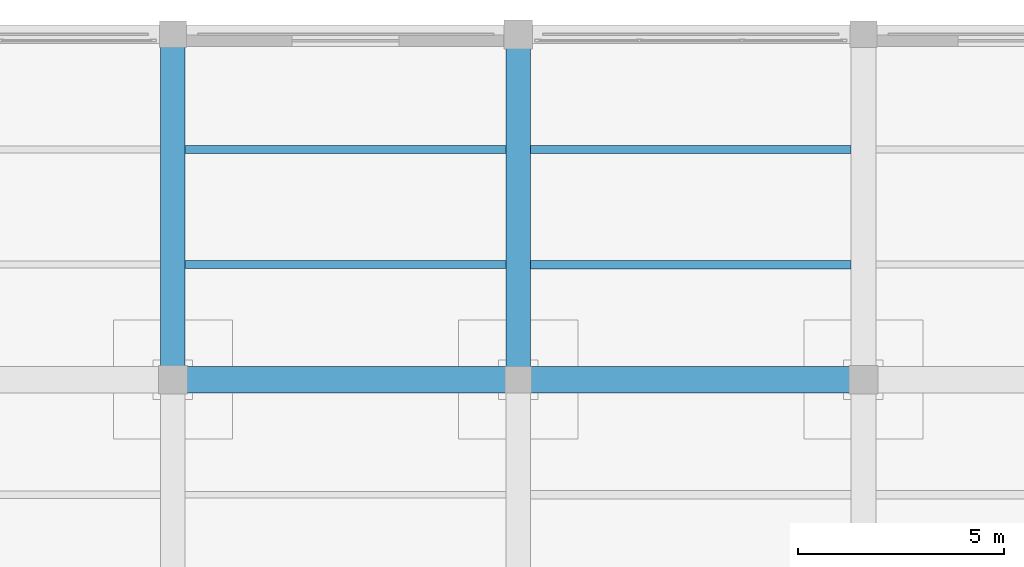
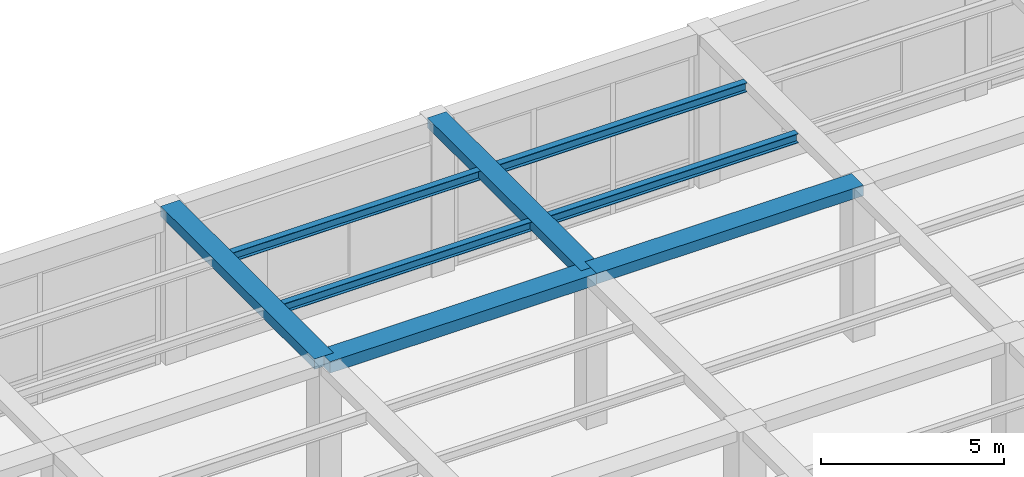
# One storey, part 49 of 96: 8 beams.
"""IFC4 building model written with IfcOpenShell, lengths in metres."""

import ifcopenshell
import ifcopenshell.guid

model = None  # the IFC model being written
_history = None  # IfcOwnerHistory: only IFC2X3 demands one
_inside = {}  # id of a spatial element -> (the spatial element, [elements in it])
_under = {}  # id of a project, library or spatial element -> (it, [spatial elements below it])
_declared = {}  # id of a project -> (the project, [libraries it declares])
_typed = {}  # id of a type object -> (the type object, [elements of that type])
_made_of = {}  # id of a material, layer set ... -> (it, [elements and type objects made of it])


def new_model(schema):
    """Start an empty IFC model of exactly this schema.

    Asked for "IFC4X3", IfcOpenShell would pick the latest addendum, in which some entities
    have other attributes; the version numbers below select the first issue.
    IFC2X3 requires an IfcOwnerHistory on every rooted entity: one is made here for all.
    """
    global model, _history
    if schema == "IFC4X3":
        model = ifcopenshell.file(schema_version=(4, 3, 0, 0))
    else:
        model = ifcopenshell.file(schema=schema)
    _inside.clear()
    _under.clear()
    _declared.clear()
    _typed.clear()
    _made_of.clear()
    _history = None
    if model.schema == "IFC2X3":
        org = make("IfcOrganization", Name="unknown")
        user = make(
            "IfcPersonAndOrganization",
            ThePerson=make("IfcPerson", FamilyName="unknown"),
            TheOrganization=org,
        )
        app = make(
            "IfcApplication",
            ApplicationDeveloper=org,
            Version="unknown",
            ApplicationFullName="unknown",
            ApplicationIdentifier="unknown",
        )
        _history = make(
            "IfcOwnerHistory",
            OwningUser=user,
            OwningApplication=app,
            ChangeAction="ADDED",
            CreationDate=0,
        )
    return model


def make(cls, **values):
    """One entity of the class cls with the attributes given. An attribute that is None is left unset."""
    return model.create_entity(
        cls, **{name: value for name, value in values.items() if value is not None}
    )


def rooted(cls, **values):
    """An entity with a GlobalId (a new one), such as an element, a storey or a relation."""
    return make(cls, GlobalId=ifcopenshell.guid.new(), OwnerHistory=_history, **values)


def si_unit(unit_type, name, prefix=None):
    """IfcSIUnit, for example si_unit("LENGTHUNIT", "METRE", prefix="MILLI")."""
    return make("IfcSIUnit", UnitType=unit_type, Prefix=prefix, Name=name)


def assignment(units):
    """IfcUnitAssignment: the units of a project."""
    return None if units is None else make("IfcUnitAssignment", Units=units)


def point(xyz):
    """IfcCartesianPoint."""
    return None if xyz is None else make("IfcCartesianPoint", Coordinates=xyz)


def direction(xyz):
    """IfcDirection."""
    return None if xyz is None else make("IfcDirection", DirectionRatios=xyz)


def frame(location, z_axis=None, x_axis=None):
    """IfcAxis2Placement3D, a coordinate frame: its origin and axes. An axis left out is left unset."""
    return make(
        "IfcAxis2Placement3D",
        Location=point(location),
        Axis=direction(z_axis),
        RefDirection=direction(x_axis),
    )


def frame_2d(location, x_axis=None):
    """IfcAxis2Placement2D, a coordinate frame in the plane: its origin and x axis."""
    return make(
        "IfcAxis2Placement2D", Location=point(location), RefDirection=direction(x_axis)
    )


def origin():
    """The frame at (0, 0, 0) with its axes left unset."""
    return frame((0.0, 0.0, 0.0))


def origin_2d():
    """The frame at (0, 0) in the plane with its x axis left unset."""
    return frame_2d((0.0, 0.0))


def place(relative_to, where):
    """IfcLocalPlacement: puts the frame where relative to a parent placement (None: the world)."""
    return make(
        "IfcLocalPlacement", PlacementRelTo=relative_to, RelativePlacement=where
    )


def context(
    kind, dimensions, precision=None, world=None, true_north=None, identifier=None
):
    """IfcGeometricRepresentationContext, for example the 3D "Model" context."""
    return make(
        "IfcGeometricRepresentationContext",
        ContextIdentifier=identifier,
        ContextType=kind,
        CoordinateSpaceDimension=dimensions,
        Precision=precision,
        WorldCoordinateSystem=world,
        TrueNorth=true_north,
    )


def subcontext(parent, identifier, kind, view, scale=None):
    """IfcGeometricRepresentationSubContext, for example "Body" below "Model"."""
    return make(
        "IfcGeometricRepresentationSubContext",
        ContextIdentifier=identifier,
        ContextType=kind,
        ParentContext=parent,
        TargetScale=scale,
        TargetView=view,
    )


def project(units=None, contexts=None):
    """IfcProject with its units and contexts."""
    return rooted(
        "IfcProject",
        Name="project",
        RepresentationContexts=contexts,
        UnitsInContext=assignment(units),
    )


def spatial(cls, under=None, at=None, **own):
    """A site, building, storey or space (cls), placed at a placement, below another one or the project."""
    s = rooted(cls, ObjectPlacement=at, **own)
    if under is not None:
        _under.setdefault(under.id(), (under, []))[1].append(s)
    return s


def profile(cls, at=None, kind="AREA", **sizes):
    """A parametric profile (cls). Its sizes go by their IFC names, for example OverallWidth=200.0."""
    return make(cls, ProfileType=kind, Position=at, **sizes)


def rectangle(**sizes):
    """IfcRectangleProfileDef."""
    return profile("IfcRectangleProfileDef", **sizes)


def i_section(**sizes):
    """IfcIShapeProfileDef."""
    return profile("IfcIShapeProfileDef", **sizes)


def extrude(swept, where, along, depth):
    """IfcExtrudedAreaSolid: the profile swept, set in the frame where, extruded along a direction by depth."""
    return make(
        "IfcExtrudedAreaSolid",
        SweptArea=swept,
        Position=where,
        ExtrudedDirection=direction(along),
        Depth=depth,
    )


def shape(context_of_items, identifier, shape_type, items):
    """IfcShapeRepresentation: the items that make up one representation, for example the "Body"."""
    return make(
        "IfcShapeRepresentation",
        ContextOfItems=context_of_items,
        RepresentationIdentifier=identifier,
        RepresentationType=shape_type,
        Items=items,
    )


def material(Name=None, Category=None):
    """IfcMaterial."""
    return make("IfcMaterial", Name=Name, Category=Category)


def material_profile(
    of_material, cross_section, Name=None, Category=None, Priority=None
):
    """IfcMaterialProfile: a cross section and its material."""
    return make(
        "IfcMaterialProfile",
        Name=Name,
        Material=of_material,
        Profile=cross_section,
        Priority=Priority,
        Category=Category,
    )


def profile_set(profiles, Name=None, composite=None):
    """IfcMaterialProfileSet."""
    return make(
        "IfcMaterialProfileSet",
        Name=Name,
        MaterialProfiles=profiles,
        CompositeProfile=composite,
    )


def made_of(thing, what):
    """Note that an element or type object is made of a material, layer set ...; save() writes the relation."""
    if what is not None:
        _made_of.setdefault(what.id(), (what, []))[1].append(thing)
    return thing


def type_object(cls, material=None, **own):
    """A type object (cls), such as IfcWallType, which elements share."""
    return made_of(rooted(cls, **own), material)


def element(
    cls,
    number,
    at=None,
    inside=None,
    cuts=None,
    type_object=None,
    material=None,
    context=None,
    identifier="Body",
    shape_type=None,
    held_by="IfcProductDefinitionShape",
    body=None,
    shapes=None,
    **own,
):
    """One element of the class cls, such as IfcWall. Its Tag is "e" and its number.

    at: its placement. inside: the storey or other place that contains it. cuts: it is an
    opening in that element (IfcRelVoidsElement). A single representation is given by context,
    identifier, shape_type and body (its items); several are given by shapes. held_by: the class
    of the entity that holds the representations. save() writes the other relations.
    """
    e = rooted(cls, Tag="e%d" % number, ObjectPlacement=at, **own)
    if body is not None:
        shapes = [shape(context, identifier, shape_type, body)]
    if shapes is not None:
        e.Representation = make(held_by, Representations=shapes)
    if inside is not None:
        _inside.setdefault(inside.id(), (inside, []))[1].append(e)
    if cuts is not None:
        rooted(
            "IfcRelVoidsElement", RelatingBuildingElement=cuts, RelatedOpeningElement=e
        )
    if type_object is not None:
        _typed.setdefault(type_object.id(), (type_object, []))[1].append(e)
    return made_of(e, material)


def aggregate(whole, parts):
    """IfcRelAggregates: a whole, such as a stair, and the parts it consists of."""
    return rooted("IfcRelAggregates", RelatingObject=whole, RelatedObjects=parts)


def save(model, path):
    """Write the relations noted so far, then the file.

    IfcRelAggregates (storeys below a building ...), IfcRelContainedInSpatialStructure (elements
    in a storey), IfcRelDefinesByType, IfcRelAssociatesMaterial and IfcRelDeclares: one each for
    every whole, place, type object, material and project.
    """
    for whole, parts in _under.values():
        aggregate(whole, parts)
    for where, things in _inside.values():
        rooted(
            "IfcRelContainedInSpatialStructure",
            RelatedElements=things,
            RelatingStructure=where,
        )
    for kind, things in _typed.values():
        rooted("IfcRelDefinesByType", RelatedObjects=things, RelatingType=kind)
    for what, things in _made_of.values():
        rooted("IfcRelAssociatesMaterial", RelatedObjects=things, RelatingMaterial=what)
    for by, libraries in _declared.values():
        rooted("IfcRelDeclares", RelatingContext=by, RelatedDefinitions=libraries)
    model.write(path)


model = new_model("IFC4")

# Units and contexts
model_context = context("Model", 3, precision=1e-05, world=origin(), true_north=direction((0.0, 1.0)))
body_context = subcontext(model_context, "Body", "Model", "MODEL_VIEW")
ifc_project = project(units=[si_unit("LENGTHUNIT", "METRE"), si_unit("AREAUNIT", "SQUARE_METRE"), si_unit("VOLUMEUNIT", "CUBIC_METRE"), si_unit("PLANEANGLEUNIT", "RADIAN"), si_unit("MASSUNIT", "GRAM", prefix="KILO")], contexts=[model_context])

# Site, building, storey
site_placement = place(None, origin())
site = spatial("IfcSite", under=ifc_project, at=site_placement, CompositionType="ELEMENT")
building_placement = place(site_placement, origin())
building = spatial("IfcBuilding", under=site, at=building_placement, Name="Almacenes y Pasaje Nevantli", CompositionType="ELEMENT")
storey_placement = place(building_placement, frame((0.0, 0.0, 6.0)))
storey = spatial("IfcBuildingStorey", under=building, at=storey_placement, Name="L02", CompositionType="ELEMENT", Elevation=6.0)

# Beams
ifc_material_1 = material(Name="Concrete C35/45", Category="concrete")
ifc_material_profile_1 = material_profile(ifc_material_1, rectangle(XDim=0.60009765625, YDim=0.320068359375, at=origin_2d()), Name="RC-BM-600x320")
ifc_profile_set_1 = profile_set([ifc_material_profile_1], Name="Concrete C35/45")
beam_type_1 = type_object("IfcBeamType", Name="BM-RC-600x320", PredefinedType="BEAM", material=ifc_profile_set_1)
beam_1_placement = place(storey_placement, frame((117.60009765625, 109.199951171875, 4.93994140625), z_axis=(0.0, 1.0, 0.0), x_axis=(-1.0, 0.0, 0.0)))
element("IfcBeam", 1, at=beam_1_placement, inside=storey, type_object=beam_type_1, Name="L02 North-South Reinforced Concrete Beam #2122", PredefinedType="BEAM", context=body_context, shape_type="SweptSolid", body=[
    extrude(rectangle(XDim=0.60009765625, YDim=0.320068359375, at=origin_2d()), origin(), (0.0, 0.0, 1.0), 8.400146484375),
])
ifc_material_2 = material(Name="Concrete C35/45", Category="concrete")
ifc_material_profile_2 = material_profile(ifc_material_2, rectangle(XDim=0.60009765625, YDim=0.340087890625, at=origin_2d()), Name="RC-BM-600x340")
ifc_profile_set_2 = profile_set([ifc_material_profile_2], Name="Concrete C35/45")
beam_type_2 = type_object("IfcBeamType", Name="BM-RC-600x340", PredefinedType="BEAM", material=ifc_profile_set_2)
beam_2_placement = place(storey_placement, frame((109.199951171875, 109.199951171875, 4.929931640625), z_axis=(0.0, 1.0, 0.0), x_axis=(-1.0, 0.0, 0.0)))
element("IfcBeam", 2, at=beam_2_placement, inside=storey, type_object=beam_type_2, Name="L02 North-South Reinforced Concrete Beam #2108", PredefinedType="BEAM", context=body_context, shape_type="SweptSolid", body=[
    extrude(rectangle(XDim=0.60009765625, YDim=0.340087890625, at=origin_2d()), origin(), (0.0, 0.0, 1.0), 8.400146484375),
])
ifc_material_3 = material(Name="Concrete C35/45", Category="concrete")
ifc_material_profile_3 = material_profile(ifc_material_3, rectangle(XDim=0.64990234375, YDim=0.35009765625, at=origin_2d()), Name="RC-BM-650x350")
ifc_profile_set_3 = profile_set([ifc_material_profile_3], Name="Concrete C35/45")
beam_type_3 = type_object("IfcBeamType", Name="BM-RC-650x350", PredefinedType="BEAM", material=ifc_profile_set_3)
beam_3_placement = place(storey_placement, frame((117.60009765625, 109.199951171875, 4.925048828125), z_axis=(1.0, 0.0, 0.0), x_axis=(0.0, 1.0, 0.0)))
element("IfcBeam", 3, at=beam_3_placement, inside=storey, type_object=beam_type_3, Name="L02 East-West Reinforced Concrete Beam #1940", PredefinedType="BEAM", context=body_context, shape_type="SweptSolid", body=[
    extrude(rectangle(XDim=0.64990234375, YDim=0.35009765625, at=origin_2d()), origin(), (0.0, 0.0, 1.0), 8.39990234375),
])
ifc_material_4 = material(Name="Concrete C35/45", Category="concrete")
ifc_material_profile_4 = material_profile(ifc_material_4, rectangle(XDim=0.64990234375, YDim=0.3798828125, at=origin_2d()), Name="RC-BM-650x380")
ifc_profile_set_4 = profile_set([ifc_material_profile_4], Name="Concrete C35/45")
beam_type_4 = type_object("IfcBeamType", Name="BM-RC-650x380", PredefinedType="BEAM", material=ifc_profile_set_4)
beam_4_placement = place(storey_placement, frame((109.199951171875, 109.199951171875, 4.909912109375), z_axis=(1.0, 0.0, 0.0), x_axis=(0.0, 1.0, 0.0)))
element("IfcBeam", 4, at=beam_4_placement, inside=storey, type_object=beam_type_4, Name="L02 East-West Reinforced Concrete Beam #1939", PredefinedType="BEAM", context=body_context, shape_type="SweptSolid", body=[
    extrude(rectangle(XDim=0.64990234375, YDim=0.3798828125, at=origin_2d()), origin(), (0.0, 0.0, 1.0), 8.400146484375),
])
ifc_material_5 = material(Name="Steel ASTM A992", Category="steel")
ifc_material_profile_5 = material_profile(ifc_material_5, i_section(OverallWidth=0.202880859375, OverallDepth=0.304931640625, WebThickness=0.007568359375, FlangeThickness=0.01318359375, at=origin_2d()), Name="IR 305x59.5")
ifc_profile_set_5 = profile_set([ifc_material_profile_5], Name="Steel ASTM A992")
beam_type_5 = type_object("IfcBeamType", Name="BM-STL-IR-305x59p5", PredefinedType="JOIST", material=ifc_profile_set_5)
for number, where, z_axis, x_axis, name in (
    (5, (109.5, 112.0, 4.939453125), (1.0, 0.0, 0.0), (0.0, 1.0, 0.0), "L02 Secondary Steel Floor Joist #531"),
    (6, (109.5, 114.800048828125, 4.939453125), (1.0, 0.0, 0.0), (0.0, 1.0, 0.0), "L02 Secondary Steel Floor Joist #532"),
):
    element("IfcBeam", number, at=place(storey_placement, frame(where, z_axis=z_axis, x_axis=x_axis)), inside=storey, type_object=beam_type_5, Name=name, PredefinedType="JOIST", context=body_context, shape_type="SweptSolid", body=[
        extrude(i_section(OverallWidth=0.202880859375, OverallDepth=0.304931640625, WebThickness=0.007568359375, FlangeThickness=0.01318359375, at=origin_2d()), origin(), (0.0, 0.0, 1.0), 7.800048828125),
    ])
ifc_material_6 = material(Name="Steel ASTM A992", Category="steel")
ifc_material_profile_6 = material_profile(ifc_material_6, i_section(OverallWidth=0.205078125, OverallDepth=0.31005859375, WebThickness=0.009521484375, FlangeThickness=0.016357421875, at=origin_2d()), Name="IR 305x74.4")
ifc_profile_set_6 = profile_set([ifc_material_profile_6], Name="Steel ASTM A992")
beam_type_6 = type_object("IfcBeamType", Name="BM-STL-IR-305x74p4", PredefinedType="JOIST", material=ifc_profile_set_6)
for number, where, z_axis, x_axis, name in (
    (7, (117.89990234375, 112.0, 4.93701171875), (1.0, 0.0, 0.0), (0.0, 1.0, 0.0), "L02 Secondary Steel Floor Joist #555"),
    (8, (117.89990234375, 114.800048828125, 4.93701171875), (1.0, 0.0, 0.0), (0.0, 1.0, 0.0), "L02 Secondary Steel Floor Joist #556"),
):
    element("IfcBeam", number, at=place(storey_placement, frame(where, z_axis=z_axis, x_axis=x_axis)), inside=storey, type_object=beam_type_6, Name=name, PredefinedType="JOIST", context=body_context, shape_type="SweptSolid", body=[
        extrude(i_section(OverallWidth=0.205078125, OverallDepth=0.31005859375, WebThickness=0.009521484375, FlangeThickness=0.016357421875, at=origin_2d()), origin(), (0.0, 0.0, 1.0), 7.800048828125),
    ])

save(model, "model.ifc")
